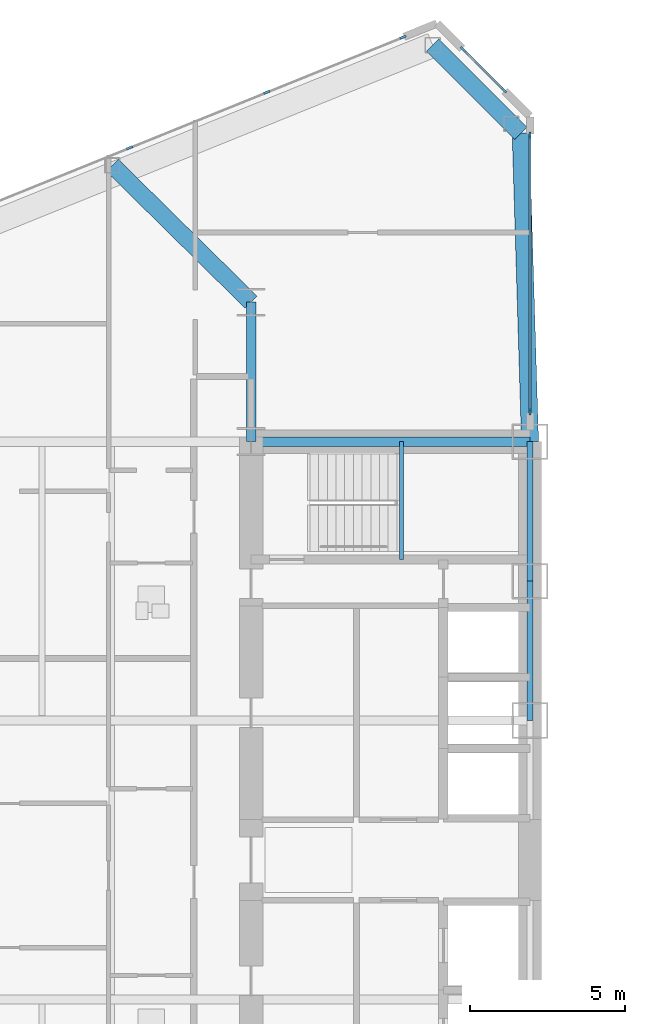
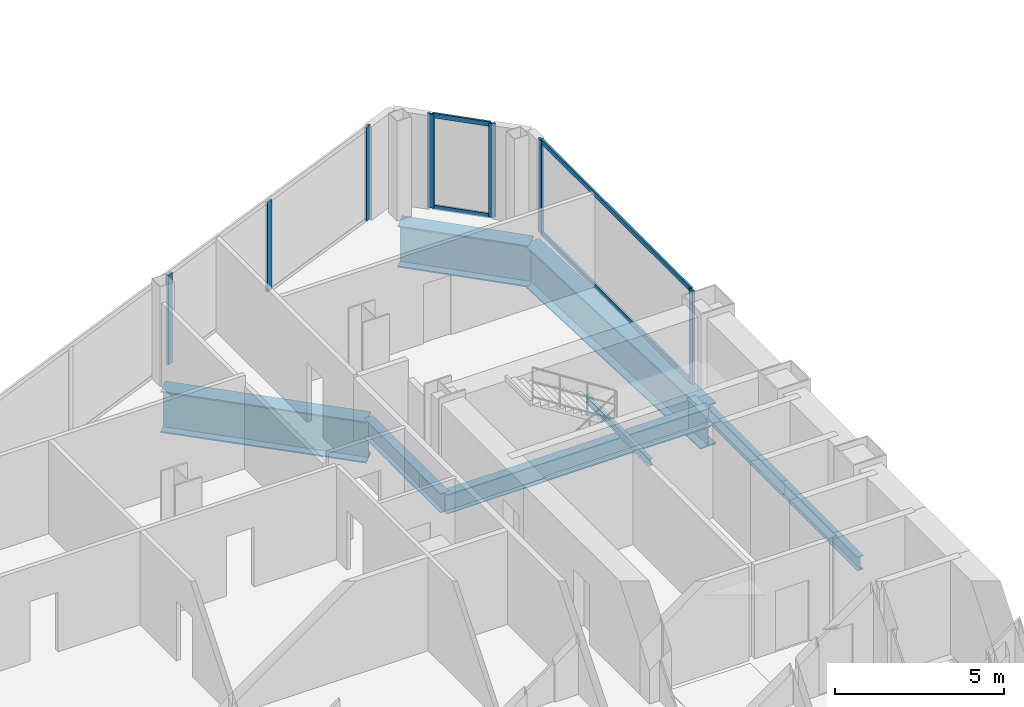
# One storey, part 9 of 26: 11 members, 8 beams, 3 elements without a shape of their own.
"""IFC4 building model written with IfcOpenShell, lengths in metres."""

from ifc_helpers import new_model, si_unit, direction, frame, origin, origin_2d, place, context, subcontext, project, spatial, rectangle, i_section, extrude, source, transform, mapped, material, layer, layer_set, material_profile, profile_set, type_object, type_shapes, element, aggregate, save


model = new_model("IFC4")

# Units and contexts
model_context = context("Model", 3, precision=1e-05, world=origin(), true_north=direction((0.0, 1.0)))
body_context = subcontext(model_context, "Body", "Model", "MODEL_VIEW")
ifc_project = project(units=[si_unit("LENGTHUNIT", "METRE"), si_unit("AREAUNIT", "SQUARE_METRE"), si_unit("VOLUMEUNIT", "CUBIC_METRE"), si_unit("PLANEANGLEUNIT", "RADIAN"), si_unit("MASSUNIT", "GRAM", prefix="KILO")], contexts=[model_context])

# Site, building, storey
site_placement = place(None, origin())
site = spatial("IfcSite", under=ifc_project, at=site_placement, CompositionType="ELEMENT")
building_placement = place(site_placement, origin())
building = spatial("IfcBuilding", under=site, at=building_placement, Name="Seokmaru Belvedere", CompositionType="ELEMENT")
storey_placement = place(building_placement, frame((0.0, 0.0, 18.89990234375)))
storey = spatial("IfcBuildingStorey", under=building, at=storey_placement, Name="L04", CompositionType="ELEMENT", Elevation=18.89990234375)

# Beams
ifc_material_1 = material(Name="Steel SM355 (355 MPa)", Category="steel")
ifc_material_profile_1 = material_profile(ifc_material_1, i_section(OverallWidth=0.199951171875, OverallDepth=0.5, WebThickness=0.010009765625, FlangeThickness=0.01611328125, at=origin_2d()), Name="H-500x200x10x16")
ifc_profile_set_1 = profile_set([ifc_material_profile_1], Name="Steel SM355 (355 MPa)")
beam_type_1 = type_object("IfcBeamType", Name="Perimeter Spandrel Beam H-500", PredefinedType="SPANDREL", material=ifc_profile_set_1)
shared_shape_1 = source(origin(), body_context, "Body", "SweptSolid", [
    extrude(i_section(OverallWidth=0.199951171875, OverallDepth=0.5, WebThickness=0.010009765625, FlangeThickness=0.01611328125, at=origin_2d()), origin(), (0.0, 0.0, 1.0), 4.5),
])
type_shapes(beam_type_1, [shared_shape_1])
for number, where, z_axis, x_axis, name in (
    (1, (-27.5, 4.5, -0.469970703125), (0.0, 1.0, 0.0), (-1.0, 0.0, 0.0), "L04 W Portal Spine Spandrel 4"),
    (2, (-27.5, 9.0, -0.469970703125), (0.0, 1.0, 0.0), (-1.0, 0.0, 0.0), "L04 W Portal Spine Spandrel 5"),
):
    element("IfcBeam", number, at=place(storey_placement, frame(where, z_axis=z_axis, x_axis=x_axis)), inside=storey, type_object=beam_type_1, Name=name, PredefinedType="SPANDREL", context=body_context, shape_type="MappedRepresentation", body=[
        mapped(shared_shape_1, transform((0.0, 0.0, 0.0), scale=1.0)),
    ])
ifc_material_profile_2 = material_profile(ifc_material_1, i_section(OverallWidth=0.300048828125, OverallDepth=0.699951171875, WebThickness=0.012939453125, FlangeThickness=0.02392578125, at=origin_2d()), Name="H-700x300x13x24")
ifc_profile_set_2 = profile_set([ifc_material_profile_2], Name="Steel SM355 (355 MPa)")
beam_type_2 = type_object("IfcBeamType", Name="Primary Floor Girder H-700", PredefinedType="BEAM", material=ifc_profile_set_2)
shared_shape_2 = source(origin(), body_context, "Body", "SweptSolid", [
    extrude(i_section(OverallWidth=0.300048828125, OverallDepth=0.699951171875, WebThickness=0.012939453125, FlangeThickness=0.02392578125, at=origin_2d()), origin(), (0.0, 0.0, 1.0), 4.5),
])
beam_1_placement = place(storey_placement, frame((-36.5, 13.5, -0.56982421875), z_axis=(0.0, 1.0, 0.0), x_axis=(-1.0, 0.0, 0.0)))
element("IfcBeam", 3, at=beam_1_placement, inside=storey, type_object=beam_type_2, Name="L04 W Core Shoulder Girder N", PredefinedType="BEAM", context=body_context, shape_type="MappedRepresentation", body=[
    mapped(shared_shape_2, transform((0.0, 0.0, 0.0), scale=1.0)),
])
shared_shape_3 = source(origin(), body_context, "Body", "SweptSolid", [
    extrude(i_section(OverallWidth=0.300048828125, OverallDepth=0.699951171875, WebThickness=0.012939453125, FlangeThickness=0.02392578125, at=origin_2d()), origin(), (0.0, 0.0, 1.0), 9.0),
])
type_shapes(beam_type_2, [shared_shape_2, shared_shape_3])
beam_2_placement = place(storey_placement, frame((-36.5, 13.5, -0.56982421875), z_axis=(1.0, 0.0, 0.0), x_axis=(0.0, 1.0, 0.0)))
element("IfcBeam", 4, at=beam_2_placement, inside=storey, type_object=beam_type_2, Name="L04 W Core Tie Girder 4", PredefinedType="BEAM", context=body_context, shape_type="MappedRepresentation", body=[
    mapped(shared_shape_3, transform((0.0, 0.0, 0.0), scale=1.0)),
])
ifc_material_2 = material(Name="Steel HSA650 (650 MPa)", Category="steel")
ifc_material_profile_3 = material_profile(ifc_material_2, i_section(OverallWidth=0.550048828125, OverallDepth=1.5, WebThickness=0.028076171875, FlangeThickness=0.044921875, at=origin_2d()), Name="BH-1500x550x28x45")
ifc_profile_set_3 = profile_set([ifc_material_profile_3], Name="Steel HSA650 (650 MPa)")
beam_type_3 = type_object("IfcBeamType", Name="Setback Transfer Girder BH-1500", PredefinedType="BEAM", material=ifc_profile_set_3)
shared_shape_4 = source(origin(), body_context, "Body", "SweptSolid", [
    extrude(i_section(OverallWidth=0.550048828125, OverallDepth=1.5, WebThickness=0.028076171875, FlangeThickness=0.044921875, at=origin_2d()), origin(), (0.0, 0.0, 1.0), 4.02099609375),
])
beam_3_placement = place(storey_placement, frame((-30.643310546875, 26.294677734375, -0.969970703125), z_axis=(0.707106781187, -0.707106781187, 0.0), x_axis=(0.707106781187, 0.707106781187, 0.0)))
element("IfcBeam", 5, at=beam_3_placement, inside=storey, type_object=beam_type_3, Name="L04 W Podium Shoulder Transfer Girder N", PredefinedType="BEAM", context=body_context, shape_type="MappedRepresentation", body=[
    mapped(shared_shape_4, transform((0.0, 0.0, 0.0), scale=1.0)),
])
shared_shape_5 = source(origin(), body_context, "Body", "SweptSolid", [
    extrude(i_section(OverallWidth=0.550048828125, OverallDepth=1.5, WebThickness=0.028076171875, FlangeThickness=0.044921875, at=origin_2d()), origin(), (0.0, 0.0, 1.0), 9.9560546875),
])
beam_4_placement = place(storey_placement, frame((-27.800048828125, 23.451416015625, -0.969970703125), z_axis=(0.030137674137, -0.999545757131, 0.0), x_axis=(0.999545757131, 0.030137674137, 0.0)))
element("IfcBeam", 6, at=beam_4_placement, inside=storey, type_object=beam_type_3, Name="L04 W Podium Spine Transfer Tie N", PredefinedType="BEAM", context=body_context, shape_type="MappedRepresentation", body=[
    mapped(shared_shape_5, transform((0.0, 0.0, 0.0), scale=1.0)),
])
shared_shape_6 = source(origin(), body_context, "Body", "SweptSolid", [
    extrude(i_section(OverallWidth=0.550048828125, OverallDepth=1.5, WebThickness=0.028076171875, FlangeThickness=0.044921875, at=origin_2d()), origin(), (0.0, 0.0, 1.0), 6.287353515625),
])
type_shapes(beam_type_3, [shared_shape_4, shared_shape_5, shared_shape_6])
beam_5_placement = place(storey_placement, frame((-40.977294921875, 22.4140625, -0.969970703125), z_axis=(0.712117485263, -0.702060315915, 0.0), x_axis=(0.702060315915, 0.712117485263, 0.0)))
element("IfcBeam", 7, at=beam_5_placement, inside=storey, type_object=beam_type_3, Name="L04 W Flank Radial Floor Girder N-1", PredefinedType="BEAM", context=body_context, shape_type="MappedRepresentation", body=[
    mapped(shared_shape_6, transform((0.0, 0.0, 0.0), scale=1.0)),
])

# Curtain wall, members
ifc_material_3 = material(Name="Bronze Triple Insulating Glass", Category="glass")
ifc_layer = layer(ifc_material_3, 0.2099609375)
ifc_layer_set = layer_set([ifc_layer], Name="Bronze Triple Insulating Glass")
curtain_wall_type = type_object("IfcCurtainWallType", Name="Low-Rise Faceted Crystal Curtain Wall System CW-2", PredefinedType="NOTDEFINED", material=ifc_layer_set)
curtain_wall_1_placement = place(storey_placement, origin())
curtain_wall_1 = element("IfcCurtainWall", 8, at=curtain_wall_1_placement, inside=storey, type_object=curtain_wall_type, Name="L04 Curtain Wall WSP_2", PredefinedType="NOTDEFINED")
ifc_material_4 = material(Name="Anodised Bronze Aluminium", Category="aluminium")
ifc_material_profile_4 = material_profile(ifc_material_4, rectangle(XDim=0.074951171875, YDim=0.2099609375, at=origin_2d()), Name="CW-M-75x210")
ifc_profile_set_4 = profile_set([ifc_material_profile_4], Name="Anodised Bronze Aluminium")
member_type_1 = type_object("IfcMemberType", Name="Bronze Unitised Mullion 75x210", PredefinedType="MULLION", material=ifc_profile_set_4)
shared_shape_7 = source(origin(), body_context, "Body", "SweptSolid", [
    extrude(rectangle(XDim=0.074951171875, YDim=0.2099609375, at=origin_2d()), origin(), (0.0, 0.0, 1.0), 3.380126953125),
])
member_1_placement = place(storey_placement, frame((-27.5, 14.467529296875, 0.0), z_axis=(0.0, 0.0, 1.0), x_axis=(-1.0, 0.0, 0.0)))
member_1 = element("IfcMember", 9, at=member_1_placement, type_object=member_type_1, Name="CW:L04:WSP_2 Mullion 1", PredefinedType="MULLION", context=body_context, shape_type="MappedRepresentation", body=[
    mapped(shared_shape_7, transform((0.0, 0.0, 0.0), scale=1.0)),
])
member_2_placement = place(storey_placement, frame((-27.5, 23.392578125, 0.0), z_axis=(0.0, 0.0, 1.0), x_axis=(-1.0, 0.0, 0.0)))
member_2 = element("IfcMember", 10, at=member_2_placement, type_object=member_type_1, Name="CW:L04:WSP_2 Mullion 2", PredefinedType="MULLION", context=body_context, shape_type="MappedRepresentation", body=[
    mapped(shared_shape_7, transform((0.0, 0.0, 0.0), scale=1.0)),
])

curtain_wall_2_placement = place(storey_placement, origin())
curtain_wall_2 = element("IfcCurtainWall", 11, at=curtain_wall_2_placement, inside=storey, type_object=curtain_wall_type, Name="L04 Curtain Wall WF2", PredefinedType="NOTDEFINED")
member_3_placement = place(storey_placement, frame((-28.339599609375, 24.839599609375, 0.0), z_axis=(0.0, 0.0, 1.0), x_axis=(-0.707106781187, -0.707106781187, 0.0)))
member_3 = element("IfcMember", 12, at=member_3_placement, type_object=member_type_1, Name="CW:L04:WF2 Mullion 1", PredefinedType="MULLION", context=body_context, shape_type="MappedRepresentation", body=[
    mapped(shared_shape_7, transform((0.0, 0.0, 0.0), scale=1.0)),
])
member_4_placement = place(storey_placement, frame((-29.660400390625, 26.160400390625, 0.0), z_axis=(0.0, 0.0, 1.0), x_axis=(-0.707106781187, -0.707106781187, 0.0)))
member_4 = element("IfcMember", 13, at=member_4_placement, type_object=member_type_1, Name="CW:L04:WF2 Mullion 2", PredefinedType="MULLION", context=body_context, shape_type="MappedRepresentation", body=[
    mapped(shared_shape_7, transform((0.0, 0.0, 0.0), scale=1.0)),
])

# Curtain wall, member
curtain_wall_3_placement = place(storey_placement, origin())
curtain_wall_3 = element("IfcCurtainWall", 14, at=curtain_wall_3_placement, inside=storey, type_object=curtain_wall_type, Name="L04 Curtain Wall WF3", PredefinedType="NOTDEFINED")
member_5_placement = place(storey_placement, frame((-31.600830078125, 26.554443359375, 0.0), z_axis=(0.0, 0.0, 1.0), x_axis=(0.375192321888, -0.926946989637, 0.0)))
member_5 = element("IfcMember", 15, at=member_5_placement, type_object=member_type_1, Name="CW:L04:WF3 Mullion 1", PredefinedType="MULLION", context=body_context, shape_type="MappedRepresentation", body=[
    mapped(shared_shape_7, transform((0.0, 0.0, 0.0), scale=1.0)),
])

# Member
ifc_material_profile_5 = material_profile(ifc_material_4, rectangle(XDim=0.070068359375, YDim=0.1650390625, at=origin_2d()), Name="CW-T-70x165")
ifc_profile_set_5 = profile_set([ifc_material_profile_5], Name="Anodised Bronze Aluminium")
member_type_2 = type_object("IfcMemberType", Name="Bronze Unitised Transom 70x165", PredefinedType="USERDEFINED", material=ifc_profile_set_5)
shared_shape_8 = source(origin(), body_context, "Body", "SweptSolid", [
    extrude(rectangle(XDim=0.070068359375, YDim=0.1650390625, at=origin_2d()), origin(), (0.0, 0.0, 1.0), 8.85009765625),
])
member_6_placement = place(storey_placement, frame((-27.5, 14.5048828125, 0.03515625), z_axis=(0.0, 1.0, 0.0), x_axis=(-1.0, 0.0, 0.0)))
member_6 = element("IfcMember", 16, at=member_6_placement, type_object=member_type_2, Name="CW:L04:WSP_2 Continuous Transom 1", ObjectType="TRANSOM", PredefinedType="USERDEFINED", context=body_context, shape_type="MappedRepresentation", body=[
    mapped(shared_shape_8, transform((0.0, 0.0, 0.0), scale=1.0)),
])

member_7_placement = place(storey_placement, frame((-27.5, 14.5048828125, 3.34521484375), z_axis=(0.0, 1.0, 0.0), x_axis=(-1.0, 0.0, 0.0)))
member_7 = element("IfcMember", 17, at=member_7_placement, type_object=member_type_2, Name="CW:L04:WSP_2 Continuous Transom 2", ObjectType="TRANSOM", PredefinedType="USERDEFINED", context=body_context, shape_type="MappedRepresentation", body=[
    mapped(shared_shape_8, transform((0.0, 0.0, 0.0), scale=1.0)),
])

aggregate(curtain_wall_1, [member_1, member_2, member_6, member_7])

shared_shape_9 = source(origin(), body_context, "Body", "SweptSolid", [
    extrude(rectangle(XDim=0.070068359375, YDim=0.1650390625, at=origin_2d()), origin(), (0.0, 0.0, 1.0), 1.792724609375),
])
type_shapes(member_type_2, [shared_shape_8, shared_shape_9])
member_8_placement = place(storey_placement, frame((-28.3662109375, 24.8662109375, 0.03515625), z_axis=(-0.707106781187, 0.707106781187, 0.0), x_axis=(-0.707106781187, -0.707106781187, 0.0)))
member_8 = element("IfcMember", 18, at=member_8_placement, type_object=member_type_2, Name="CW:L04:WF2 Continuous Transom 1", ObjectType="TRANSOM", PredefinedType="USERDEFINED", context=body_context, shape_type="MappedRepresentation", body=[
    mapped(shared_shape_9, transform((0.0, 0.0, 0.0), scale=1.0)),
])

member_9_placement = place(storey_placement, frame((-28.3662109375, 24.8662109375, 3.34521484375), z_axis=(-0.707106781187, 0.707106781187, 0.0), x_axis=(-0.707106781187, -0.707106781187, 0.0)))
member_9 = element("IfcMember", 19, at=member_9_placement, type_object=member_type_2, Name="CW:L04:WF2 Continuous Transom 2", ObjectType="TRANSOM", PredefinedType="USERDEFINED", context=body_context, shape_type="MappedRepresentation", body=[
    mapped(shared_shape_9, transform((0.0, 0.0, 0.0), scale=1.0)),
])

aggregate(curtain_wall_2, [member_3, member_4, member_8, member_9])

shared_shape_10 = source(origin(), body_context, "Body", "SweptSolid", [
    extrude(rectangle(XDim=0.074951171875, YDim=0.2099609375, at=origin_2d()), origin(), (0.0, 0.0, 1.0), 3.239990234375),
])
type_shapes(member_type_1, [shared_shape_7, shared_shape_10])
member_10_placement = place(storey_placement, frame((-35.995849609375, 24.775390625, 0.070068359375), z_axis=(0.0, 0.0, 1.0), x_axis=(0.375192321888, -0.926946989637, 0.0)))
member_10 = element("IfcMember", 20, at=member_10_placement, type_object=member_type_1, Name="CW:L04:WF3 Mullion 2", PredefinedType="MULLION", context=body_context, shape_type="MappedRepresentation", body=[
    mapped(shared_shape_10, transform((0.0, 0.0, 0.0), scale=1.0)),
])

member_11_placement = place(storey_placement, frame((-40.425537109375, 22.982421875, 0.070068359375), z_axis=(0.0, 0.0, 1.0), x_axis=(0.375192321888, -0.926946989637, 0.0)))
member_11 = element("IfcMember", 21, at=member_11_placement, type_object=member_type_1, Name="CW:L04:WF3 Mullion 3", PredefinedType="MULLION", context=body_context, shape_type="MappedRepresentation", body=[
    mapped(shared_shape_10, transform((0.0, 0.0, 0.0), scale=1.0)),
])

aggregate(curtain_wall_3, [member_5, member_10, member_11])

# Beam
ifc_material_profile_6 = material_profile(ifc_material_1, i_section(OverallWidth=0.125, OverallDepth=0.25, WebThickness=0.006103515625, FlangeThickness=0.009033203125, at=origin_2d()), Name="H-250x125x6x9")
ifc_profile_set_6 = profile_set([ifc_material_profile_6], Name="Steel SM355 (355 MPa)")
beam_type_4 = type_object("IfcBeamType", Name="Stair Mid-Landing Support Beam H-250", PredefinedType="JOIST", material=ifc_profile_set_6)
shared_shape_11 = source(origin(), body_context, "Body", "SweptSolid", [
    extrude(i_section(OverallWidth=0.125, OverallDepth=0.25, WebThickness=0.006103515625, FlangeThickness=0.009033203125, at=origin_2d()), origin(), (0.0, 0.0, 1.0), 3.800048828125),
])
type_shapes(beam_type_4, [shared_shape_11])
beam_6_placement = place(storey_placement, frame((-31.64990234375, 9.699951171875, 1.47509765625), z_axis=(0.0, 1.0, 0.0), x_axis=(-1.0, 0.0, 0.0)))
element("IfcBeam", 22, at=beam_6_placement, inside=storey, type_object=beam_type_4, Name="L04 Stair ST-W2 Mid-Landing Support Beam 1", PredefinedType="JOIST", context=body_context, shape_type="MappedRepresentation", body=[
    mapped(shared_shape_11, transform((0.0, 0.0, 0.0), scale=1.0)),
])

save(model, "model.ifc")
